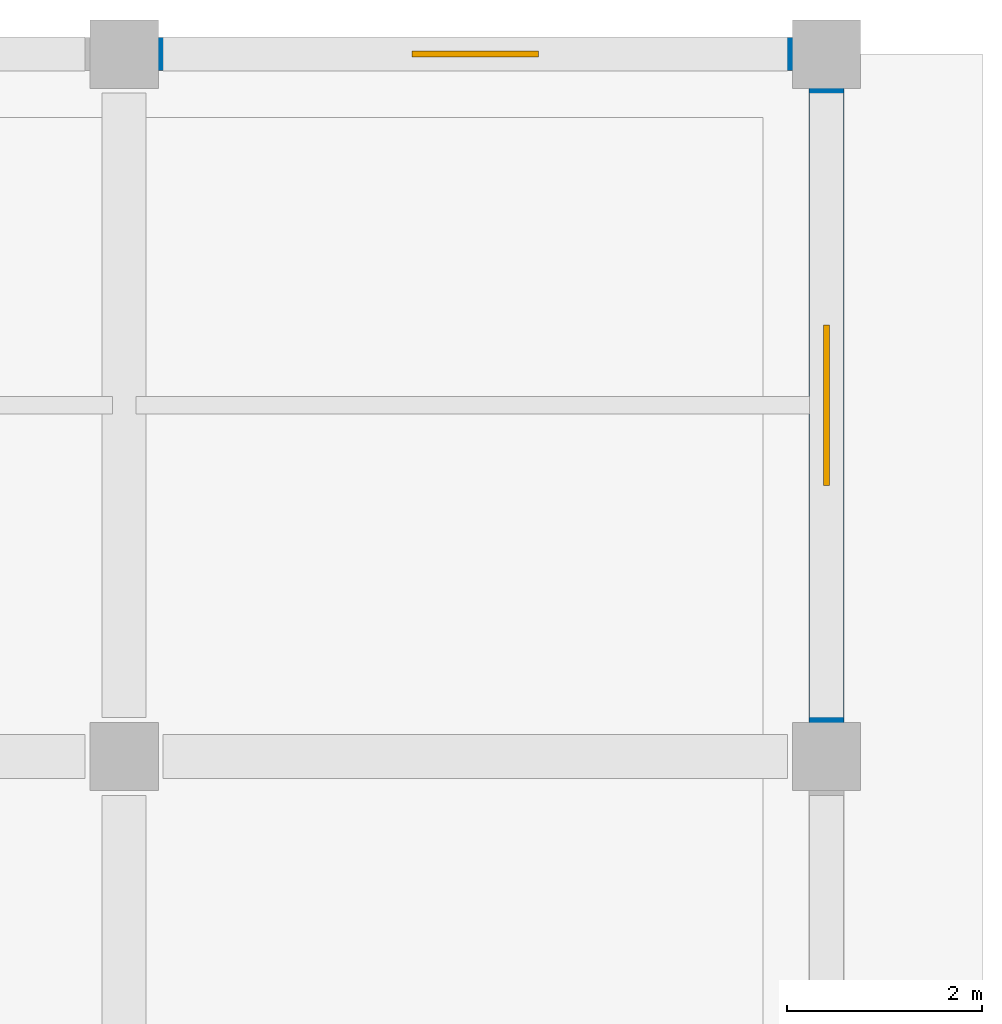
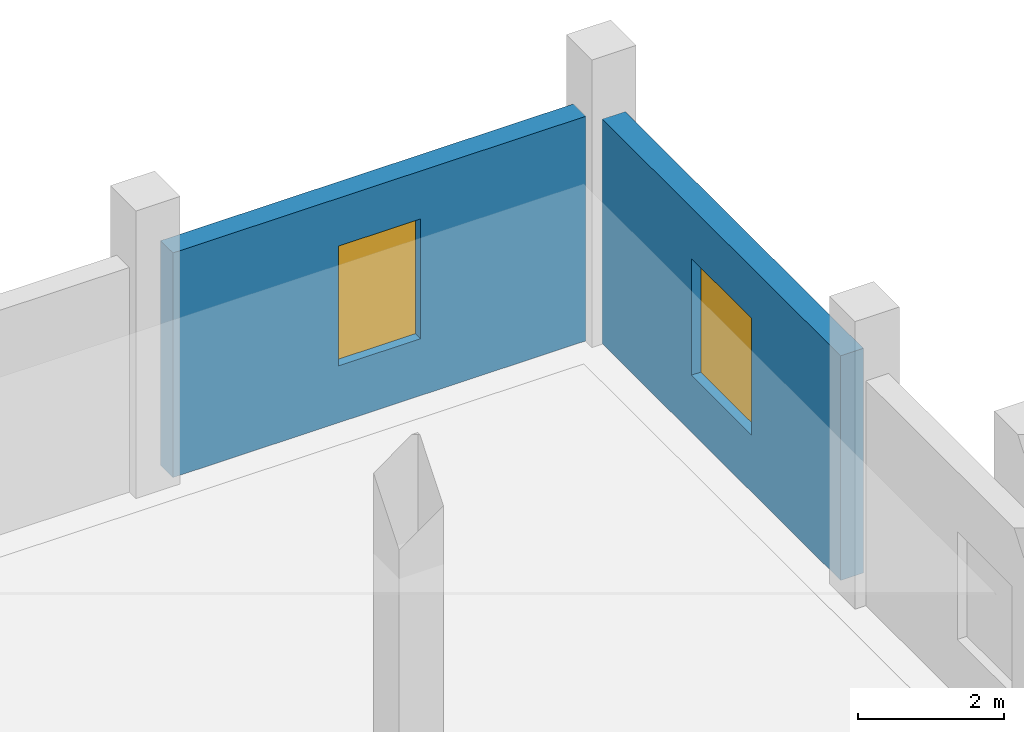
# One storey, part 43 of 59: 2 walls, 2 windows, 2 openings.
"""IFC4 building model written with IfcOpenShell, lengths in metres."""

from ifc_helpers import new_model, si_unit, direction, frame, frame_2d, origin, place, context, subcontext, project, spatial, rectangle, extrude, material, layer, layer_set, type_object, element, fill, save


model = new_model("IFC4")

# Units and contexts
model_context = context("Model", 3, precision=1e-05, world=origin(), true_north=direction((0.0, 1.0)))
body_context = subcontext(model_context, "Body", "Model", "MODEL_VIEW")
ifc_project = project(units=[si_unit("LENGTHUNIT", "METRE"), si_unit("AREAUNIT", "SQUARE_METRE"), si_unit("VOLUMEUNIT", "CUBIC_METRE"), si_unit("PLANEANGLEUNIT", "RADIAN"), si_unit("MASSUNIT", "GRAM", prefix="KILO")], contexts=[model_context])

# Site, building, storey
site_placement = place(None, origin())
site = spatial("IfcSite", under=ifc_project, at=site_placement, CompositionType="ELEMENT")
building_placement = place(site_placement, origin())
building = spatial("IfcBuilding", under=site, at=building_placement, Name="Valkovuoma Quantum and Materials Research Institute", CompositionType="ELEMENT")
storey_placement = place(building_placement, origin())
storey = spatial("IfcBuildingStorey", under=building, at=storey_placement, Name="L00", CompositionType="ELEMENT", Elevation=0.0)

# Wall, opening, window
ifc_material_1 = material(Name="Precast concrete C40/50", Category="concrete")
ifc_layer_1 = layer(ifc_material_1, 0.340087890625)
ifc_layer_set_1 = layer_set([ifc_layer_1], Name="Precast concrete C40/50")
wall_type_1 = type_object("IfcWallType", Name="Wall-W-EXT340", PredefinedType="SOLIDWALL", material=ifc_layer_set_1)
wall_1_placement = place(storey_placement, frame((158.739990234375, 115.199951171875, 0.0), z_axis=(0.0, 0.0, 1.0), x_axis=(1.0, 0.0, 0.0)))
wall_1 = element("IfcWall", 1, at=wall_1_placement, inside=storey, type_object=wall_type_1, Name="L00 exterior wall 0186", PredefinedType="SOLIDWALL", context=body_context, shape_type="SweptSolid", body=[
    extrude(rectangle(XDim=6.52001953125, YDim=0.340087890625, at=frame_2d((3.260009765625, 0.0))), origin(), (0.0, 0.0, 1.0), 3.75),
])
opening_1_placement = place(wall_1_placement, frame((2.610107421875, 0.0, 0.949951171875)))
opening_1 = element("IfcOpeningElement", 2, at=opening_1_placement, cuts=wall_1, Name="Opening WN-EX07", PredefinedType="OPENING", context=body_context, shape_type="SweptSolid", body=[
    extrude(rectangle(XDim=1.300048828125, YDim=2.0, at=frame_2d((0.64990234375, 1.0))), frame((0.0, 0.18017578125, 0.0), z_axis=(0.0, -1.0, 0.0), x_axis=(1.0, 0.0, 0.0)), (0.0, 0.0, 1.0), 0.360107421875),
])
ifc_material_2 = material(Name="Triple low-E argon glazing in thermally broken aluminium frame", Category="aluminium")
window_type_1 = type_object("IfcWindowType", Name="Win-WN-EX07", PartitioningType="SINGLE_PANEL", PredefinedType="WINDOW", material=ifc_material_2)
window_1_placement = place(opening_1_placement, origin())
window_1 = element("IfcWindow", 3, at=window_1_placement, inside=storey, type_object=window_type_1, Name="L00 window 0215", OverallHeight=2.0, OverallWidth=1.300048828125, PartitioningType="SINGLE_PANEL", PredefinedType="WINDOW", context=body_context, shape_type="SweptSolid", body=[
    extrude(rectangle(XDim=1.300048828125, YDim=2.0, at=frame_2d((0.64990234375, 1.0))), frame((0.0, 0.030029296875, 0.0), z_axis=(0.0, -1.0, 0.0), x_axis=(1.0, 0.0, 0.0)), (0.0, 0.0, 1.0), 0.06005859375),
])
fill(opening_1, window_1)

ifc_material_3 = material(Name="Precast concrete C40/50", Category="concrete")
ifc_layer_2 = layer(ifc_material_3, 0.360107421875)
ifc_layer_set_2 = layer_set([ifc_layer_2], Name="Precast concrete C40/50")
wall_type_2 = type_object("IfcWallType", Name="Wall-W-EXT360", PredefinedType="SOLIDWALL", material=ifc_layer_set_2)
wall_2_placement = place(storey_placement, frame((165.60009765625, 108.340087890625, 0.0), z_axis=(0.0, 0.0, 1.0), x_axis=(0.0, 1.0, 0.0)))
wall_2 = element("IfcWall", 4, at=wall_2_placement, inside=storey, type_object=wall_type_2, Name="L00 exterior wall 0181", PredefinedType="SOLIDWALL", context=body_context, shape_type="SweptSolid", body=[
    extrude(rectangle(XDim=6.52001953125, YDim=0.360107421875, at=frame_2d((3.260009765625, 0.0))), origin(), (0.0, 0.0, 1.0), 3.75),
])
opening_2_placement = place(wall_2_placement, frame((2.43505859375, 0.0, 0.949951171875)))
opening_2 = element("IfcOpeningElement", 5, at=opening_2_placement, cuts=wall_2, Name="Opening WN-WL16", PredefinedType="OPENING", context=body_context, shape_type="SweptSolid", body=[
    extrude(rectangle(XDim=1.64990234375, YDim=1.949951171875, at=frame_2d((0.824951171875, 0.97509765625))), frame((0.0, 0.18994140625, 0.0), z_axis=(0.0, -1.0, 0.0), x_axis=(1.0, 0.0, 0.0)), (0.0, 0.0, 1.0), 0.380126953125),
])
ifc_material_4 = material(Name="Triple low-E argon glazing in thermally broken aluminium frame", Category="aluminium")
window_type_2 = type_object("IfcWindowType", Name="Win-WN-WL16", PartitioningType="SINGLE_PANEL", PredefinedType="WINDOW", material=ifc_material_4)
window_2_placement = place(opening_2_placement, origin())
window_2 = element("IfcWindow", 6, at=window_2_placement, inside=storey, type_object=window_type_2, Name="L00 window 0211", OverallHeight=1.949951171875, OverallWidth=1.64990234375, PartitioningType="SINGLE_PANEL", PredefinedType="WINDOW", context=body_context, shape_type="SweptSolid", body=[
    extrude(rectangle(XDim=1.64990234375, YDim=1.949951171875, at=frame_2d((0.824951171875, 0.97509765625))), frame((0.0, 0.030029296875, 0.0), z_axis=(0.0, -1.0, 0.0), x_axis=(1.0, 0.0, 0.0)), (0.0, 0.0, 1.0), 0.06005859375),
])
fill(opening_2, window_2)

save(model, "model.ifc")
